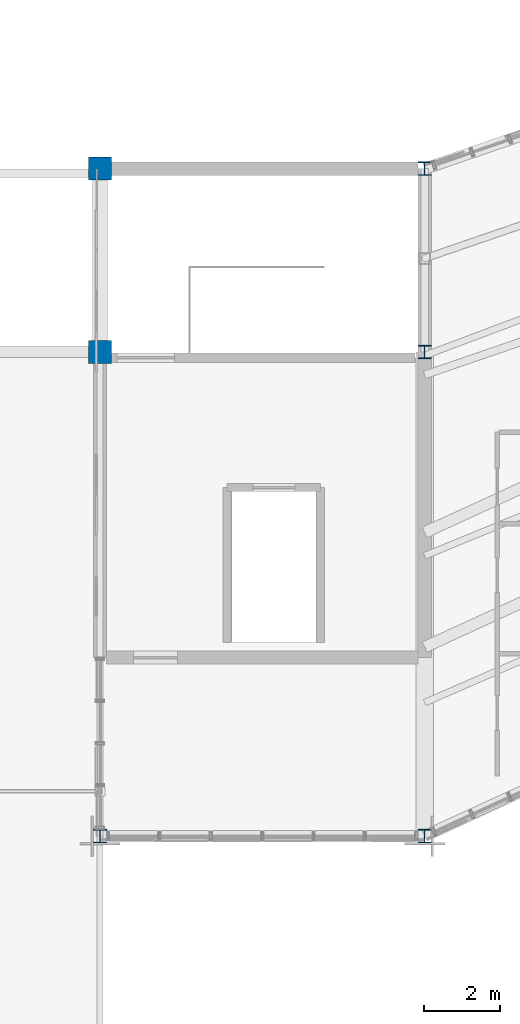
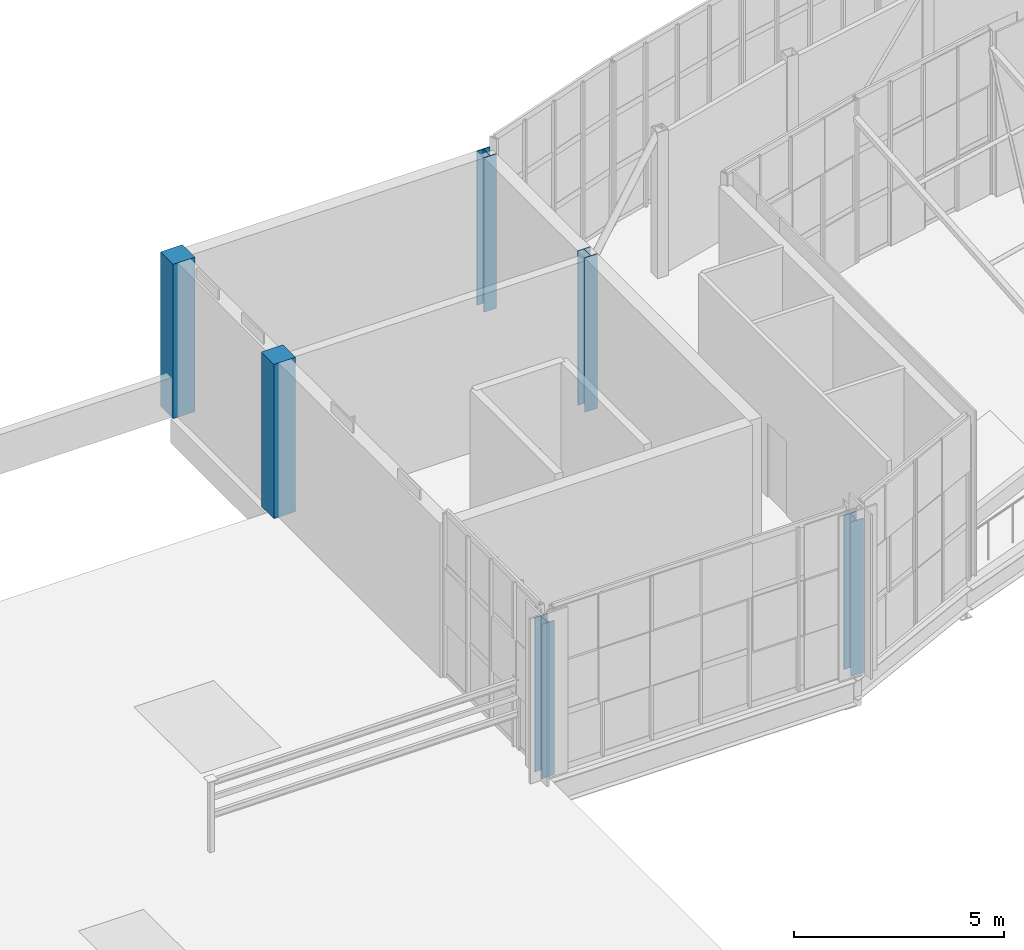
# One storey, part 1 of 35: 6 columns.
"""IFC4 building model written with IfcOpenShell, lengths in metres."""

import ifcopenshell
import ifcopenshell.guid

model = None  # the IFC model being written
_history = None  # IfcOwnerHistory: only IFC2X3 demands one
_inside = {}  # id of a spatial element -> (the spatial element, [elements in it])
_under = {}  # id of a project, library or spatial element -> (it, [spatial elements below it])
_declared = {}  # id of a project -> (the project, [libraries it declares])
_typed = {}  # id of a type object -> (the type object, [elements of that type])
_made_of = {}  # id of a material, layer set ... -> (it, [elements and type objects made of it])


def new_model(schema):
    """Start an empty IFC model of exactly this schema.

    Asked for "IFC4X3", IfcOpenShell would pick the latest addendum, in which some entities
    have other attributes; the version numbers below select the first issue.
    IFC2X3 requires an IfcOwnerHistory on every rooted entity: one is made here for all.
    """
    global model, _history
    if schema == "IFC4X3":
        model = ifcopenshell.file(schema_version=(4, 3, 0, 0))
    else:
        model = ifcopenshell.file(schema=schema)
    _inside.clear()
    _under.clear()
    _declared.clear()
    _typed.clear()
    _made_of.clear()
    _history = None
    if model.schema == "IFC2X3":
        org = make("IfcOrganization", Name="unknown")
        user = make(
            "IfcPersonAndOrganization",
            ThePerson=make("IfcPerson", FamilyName="unknown"),
            TheOrganization=org,
        )
        app = make(
            "IfcApplication",
            ApplicationDeveloper=org,
            Version="unknown",
            ApplicationFullName="unknown",
            ApplicationIdentifier="unknown",
        )
        _history = make(
            "IfcOwnerHistory",
            OwningUser=user,
            OwningApplication=app,
            ChangeAction="ADDED",
            CreationDate=0,
        )
    return model


def make(cls, **values):
    """One entity of the class cls with the attributes given. An attribute that is None is left unset."""
    return model.create_entity(
        cls, **{name: value for name, value in values.items() if value is not None}
    )


def rooted(cls, **values):
    """An entity with a GlobalId (a new one), such as an element, a storey or a relation."""
    return make(cls, GlobalId=ifcopenshell.guid.new(), OwnerHistory=_history, **values)


def si_unit(unit_type, name, prefix=None):
    """IfcSIUnit, for example si_unit("LENGTHUNIT", "METRE", prefix="MILLI")."""
    return make("IfcSIUnit", UnitType=unit_type, Prefix=prefix, Name=name)


def assignment(units):
    """IfcUnitAssignment: the units of a project."""
    return None if units is None else make("IfcUnitAssignment", Units=units)


def point(xyz):
    """IfcCartesianPoint."""
    return None if xyz is None else make("IfcCartesianPoint", Coordinates=xyz)


def direction(xyz):
    """IfcDirection."""
    return None if xyz is None else make("IfcDirection", DirectionRatios=xyz)


def frame(location, z_axis=None, x_axis=None):
    """IfcAxis2Placement3D, a coordinate frame: its origin and axes. An axis left out is left unset."""
    return make(
        "IfcAxis2Placement3D",
        Location=point(location),
        Axis=direction(z_axis),
        RefDirection=direction(x_axis),
    )


def frame_2d(location, x_axis=None):
    """IfcAxis2Placement2D, a coordinate frame in the plane: its origin and x axis."""
    return make(
        "IfcAxis2Placement2D", Location=point(location), RefDirection=direction(x_axis)
    )


def origin():
    """The frame at (0, 0, 0) with its axes left unset."""
    return frame((0.0, 0.0, 0.0))


def origin_2d():
    """The frame at (0, 0) in the plane with its x axis left unset."""
    return frame_2d((0.0, 0.0))


def place(relative_to, where):
    """IfcLocalPlacement: puts the frame where relative to a parent placement (None: the world)."""
    return make(
        "IfcLocalPlacement", PlacementRelTo=relative_to, RelativePlacement=where
    )


def context(
    kind, dimensions, precision=None, world=None, true_north=None, identifier=None
):
    """IfcGeometricRepresentationContext, for example the 3D "Model" context."""
    return make(
        "IfcGeometricRepresentationContext",
        ContextIdentifier=identifier,
        ContextType=kind,
        CoordinateSpaceDimension=dimensions,
        Precision=precision,
        WorldCoordinateSystem=world,
        TrueNorth=true_north,
    )


def subcontext(parent, identifier, kind, view, scale=None):
    """IfcGeometricRepresentationSubContext, for example "Body" below "Model"."""
    return make(
        "IfcGeometricRepresentationSubContext",
        ContextIdentifier=identifier,
        ContextType=kind,
        ParentContext=parent,
        TargetScale=scale,
        TargetView=view,
    )


def project(units=None, contexts=None):
    """IfcProject with its units and contexts."""
    return rooted(
        "IfcProject",
        Name="project",
        RepresentationContexts=contexts,
        UnitsInContext=assignment(units),
    )


def spatial(cls, under=None, at=None, **own):
    """A site, building, storey or space (cls), placed at a placement, below another one or the project."""
    s = rooted(cls, ObjectPlacement=at, **own)
    if under is not None:
        _under.setdefault(under.id(), (under, []))[1].append(s)
    return s


def profile(cls, at=None, kind="AREA", **sizes):
    """A parametric profile (cls). Its sizes go by their IFC names, for example OverallWidth=200.0."""
    return make(cls, ProfileType=kind, Position=at, **sizes)


def rectangle(**sizes):
    """IfcRectangleProfileDef."""
    return profile("IfcRectangleProfileDef", **sizes)


def i_section(**sizes):
    """IfcIShapeProfileDef."""
    return profile("IfcIShapeProfileDef", **sizes)


def extrude(swept, where, along, depth):
    """IfcExtrudedAreaSolid: the profile swept, set in the frame where, extruded along a direction by depth."""
    return make(
        "IfcExtrudedAreaSolid",
        SweptArea=swept,
        Position=where,
        ExtrudedDirection=direction(along),
        Depth=depth,
    )


def shape(context_of_items, identifier, shape_type, items):
    """IfcShapeRepresentation: the items that make up one representation, for example the "Body"."""
    return make(
        "IfcShapeRepresentation",
        ContextOfItems=context_of_items,
        RepresentationIdentifier=identifier,
        RepresentationType=shape_type,
        Items=items,
    )


def material(Name=None, Category=None):
    """IfcMaterial."""
    return make("IfcMaterial", Name=Name, Category=Category)


def material_profile(
    of_material, cross_section, Name=None, Category=None, Priority=None
):
    """IfcMaterialProfile: a cross section and its material."""
    return make(
        "IfcMaterialProfile",
        Name=Name,
        Material=of_material,
        Profile=cross_section,
        Priority=Priority,
        Category=Category,
    )


def profile_set(profiles, Name=None, composite=None):
    """IfcMaterialProfileSet."""
    return make(
        "IfcMaterialProfileSet",
        Name=Name,
        MaterialProfiles=profiles,
        CompositeProfile=composite,
    )


def made_of(thing, what):
    """Note that an element or type object is made of a material, layer set ...; save() writes the relation."""
    if what is not None:
        _made_of.setdefault(what.id(), (what, []))[1].append(thing)
    return thing


def type_object(cls, material=None, **own):
    """A type object (cls), such as IfcWallType, which elements share."""
    return made_of(rooted(cls, **own), material)


def element(
    cls,
    number,
    at=None,
    inside=None,
    cuts=None,
    type_object=None,
    material=None,
    context=None,
    identifier="Body",
    shape_type=None,
    held_by="IfcProductDefinitionShape",
    body=None,
    shapes=None,
    **own,
):
    """One element of the class cls, such as IfcWall. Its Tag is "e" and its number.

    at: its placement. inside: the storey or other place that contains it. cuts: it is an
    opening in that element (IfcRelVoidsElement). A single representation is given by context,
    identifier, shape_type and body (its items); several are given by shapes. held_by: the class
    of the entity that holds the representations. save() writes the other relations.
    """
    e = rooted(cls, Tag="e%d" % number, ObjectPlacement=at, **own)
    if body is not None:
        shapes = [shape(context, identifier, shape_type, body)]
    if shapes is not None:
        e.Representation = make(held_by, Representations=shapes)
    if inside is not None:
        _inside.setdefault(inside.id(), (inside, []))[1].append(e)
    if cuts is not None:
        rooted(
            "IfcRelVoidsElement", RelatingBuildingElement=cuts, RelatedOpeningElement=e
        )
    if type_object is not None:
        _typed.setdefault(type_object.id(), (type_object, []))[1].append(e)
    return made_of(e, material)


def aggregate(whole, parts):
    """IfcRelAggregates: a whole, such as a stair, and the parts it consists of."""
    return rooted("IfcRelAggregates", RelatingObject=whole, RelatedObjects=parts)


def save(model, path):
    """Write the relations noted so far, then the file.

    IfcRelAggregates (storeys below a building ...), IfcRelContainedInSpatialStructure (elements
    in a storey), IfcRelDefinesByType, IfcRelAssociatesMaterial and IfcRelDeclares: one each for
    every whole, place, type object, material and project.
    """
    for whole, parts in _under.values():
        aggregate(whole, parts)
    for where, things in _inside.values():
        rooted(
            "IfcRelContainedInSpatialStructure",
            RelatedElements=things,
            RelatingStructure=where,
        )
    for kind, things in _typed.values():
        rooted("IfcRelDefinesByType", RelatedObjects=things, RelatingType=kind)
    for what, things in _made_of.values():
        rooted("IfcRelAssociatesMaterial", RelatedObjects=things, RelatingMaterial=what)
    for by, libraries in _declared.values():
        rooted("IfcRelDeclares", RelatingContext=by, RelatedDefinitions=libraries)
    model.write(path)


model = new_model("IFC4")

# Units and contexts
model_context = context("Model", 3, precision=1e-05, world=origin(), true_north=direction((0.0, 1.0)))
body_context = subcontext(model_context, "Body", "Model", "MODEL_VIEW")
ifc_project = project(units=[si_unit("LENGTHUNIT", "METRE"), si_unit("AREAUNIT", "SQUARE_METRE"), si_unit("VOLUMEUNIT", "CUBIC_METRE"), si_unit("PLANEANGLEUNIT", "RADIAN"), si_unit("MASSUNIT", "GRAM", prefix="KILO")], contexts=[model_context])

# Site, building, storey
site_placement = place(None, origin())
site = spatial("IfcSite", under=ifc_project, at=site_placement, CompositionType="ELEMENT")
building_placement = place(site_placement, origin())
building = spatial("IfcBuilding", under=site, at=building_placement, Name="Solvikara Media Centre", CompositionType="ELEMENT")
storey_placement = place(building_placement, frame((0.0, 0.0, 29.39990234375)))
storey = spatial("IfcBuildingStorey", under=building, at=storey_placement, Name="L06", CompositionType="ELEMENT", Elevation=29.39990234375)

# Columns
ifc_material_1 = material(Name="Concrete fc' 45 MPa (C45/55)", Category="concrete")
ifc_material_profile_1 = material_profile(ifc_material_1, rectangle(XDim=0.60009765625, YDim=0.60009765625, at=origin_2d()), Name="RC 600x600")
ifc_profile_set_1 = profile_set([ifc_material_profile_1], Name="Concrete fc' 45 MPa (C45/55)")
column_type_1 = type_object("IfcColumnType", Name="CL-01", PredefinedType="COLUMN", material=ifc_profile_set_1)
for number, where, z_axis, x_axis, name in (
    (1, (68.0, 32.0, 0.0), (0.0, 0.0, 1.0), (1.0, 0.0, 0.0), "C-L06-0680-0320"),
    (2, (68.0, 36.800048828125, 0.0), (0.0, 0.0, 1.0), (1.0, 0.0, 0.0), "C-L06-0680-0368"),
):
    element("IfcColumn", number, at=place(storey_placement, frame(where, z_axis=z_axis, x_axis=x_axis)), inside=storey, type_object=column_type_1, Name=name, PredefinedType="COLUMN", context=body_context, shape_type="SweptSolid", body=[
        extrude(rectangle(XDim=0.60009765625, YDim=0.60009765625, at=origin_2d()), origin(), (0.0, 0.0, 1.0), 4.489990234375),
    ])
ifc_material_2 = material(Name="Steel S355JR", Category="steel")
ifc_material_profile_2 = material_profile(ifc_material_2, i_section(OverallWidth=0.35009765625, OverallDepth=0.35009765625, WebThickness=0.011962890625, FlangeThickness=0.01904296875, at=origin_2d()), Name="H 350x350x12x19")
ifc_profile_set_2 = profile_set([ifc_material_profile_2], Name="Steel S355JR")
column_type_2 = type_object("IfcColumnType", Name="CL-21", PredefinedType="COLUMN", material=ifc_profile_set_2)
for number, where, z_axis, x_axis, name in (
    (3, (76.5, 32.0, 0.0), (0.0, 0.0, 1.0), (1.0, 0.0, 0.0), "C-L06-0765-0320"),
    (4, (76.5, 36.800048828125, 0.0), (0.0, 0.0, 1.0), (1.0, 0.0, 0.0), "C-L06-0765-0368"),
    (5, (68.0, 19.323974609375, 0.0), (0.0, 0.0, 1.0), (1.0, 0.0, 0.0), "C-L06-0680-0193"),
    (6, (76.5, 19.323974609375, 0.0), (0.0, 0.0, 1.0), (1.0, 0.0, 0.0), "C-L06-0765-0193"),
):
    element("IfcColumn", number, at=place(storey_placement, frame(where, z_axis=z_axis, x_axis=x_axis)), inside=storey, type_object=column_type_2, Name=name, PredefinedType="COLUMN", context=body_context, shape_type="SweptSolid", body=[
        extrude(i_section(OverallWidth=0.35009765625, OverallDepth=0.35009765625, WebThickness=0.011962890625, FlangeThickness=0.01904296875, at=origin_2d()), origin(), (0.0, 0.0, 1.0), 4.489990234375),
    ])

save(model, "model.ifc")
